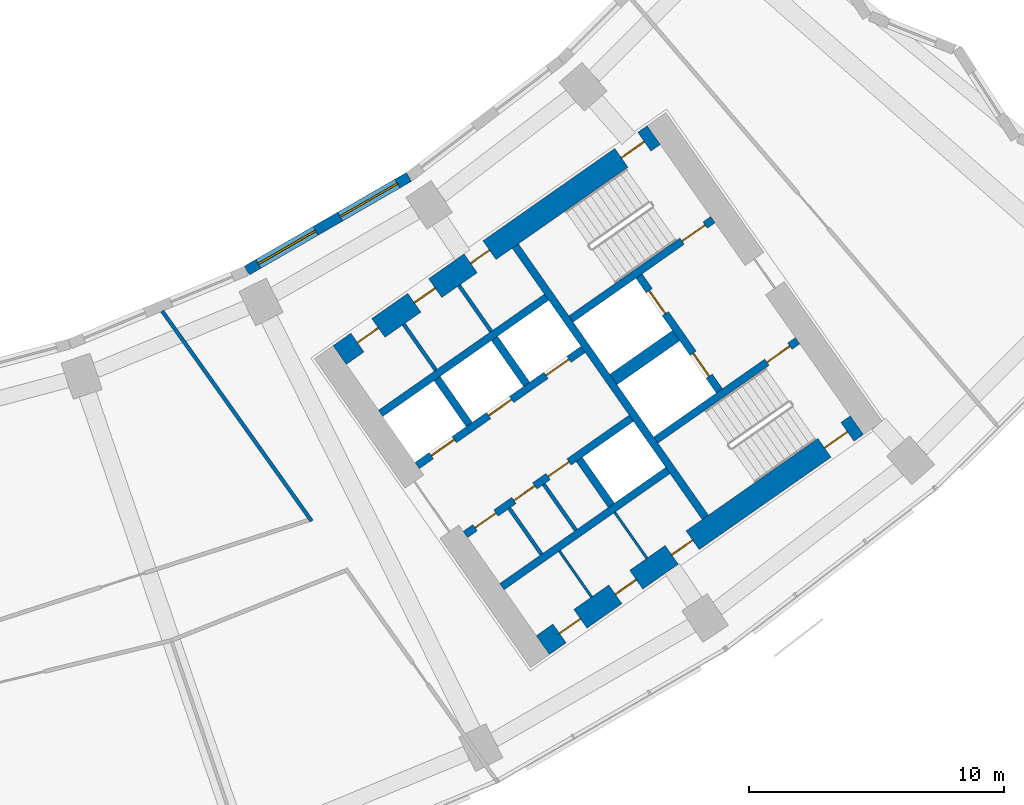
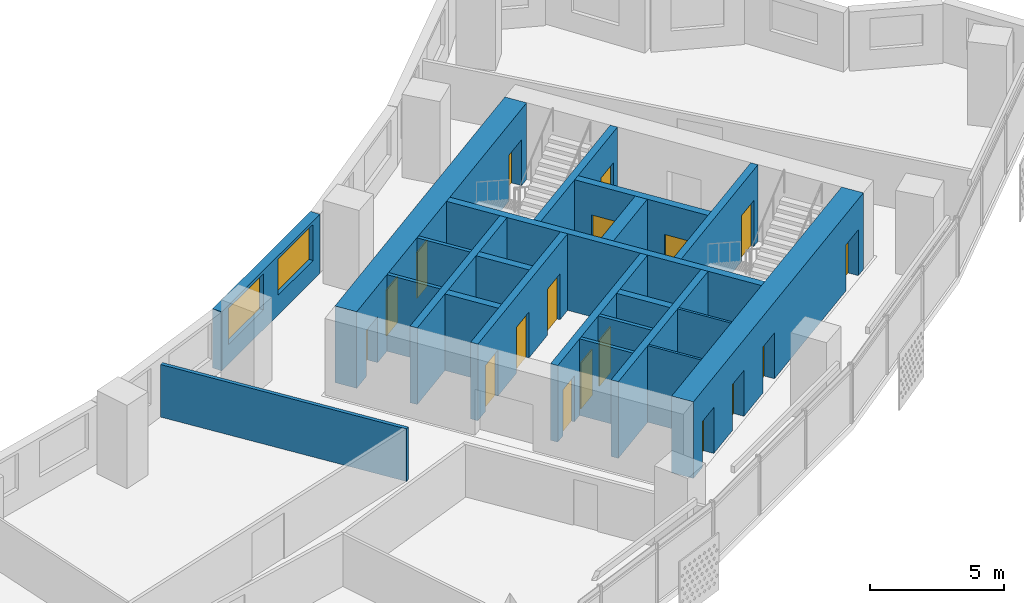
# One storey, part 7 of 29: 22 walls, 18 doors, 2 windows, 20 openings.
"""IFC4 building model written with IfcOpenShell, lengths in metres."""

from ifc_helpers import new_model, si_unit, direction, frame, frame_2d, origin, place, context, subcontext, project, spatial, rectangle, extrude, material, layer, layer_set, type_object, element, fill, save


model = new_model("IFC4")

# Units and contexts
model_context = context("Model", 3, precision=1e-05, world=origin(), true_north=direction((0.0, 1.0)))
body_context = subcontext(model_context, "Body", "Model", "MODEL_VIEW")
ifc_project = project(units=[si_unit("LENGTHUNIT", "METRE"), si_unit("AREAUNIT", "SQUARE_METRE"), si_unit("VOLUMEUNIT", "CUBIC_METRE"), si_unit("PLANEANGLEUNIT", "RADIAN"), si_unit("MASSUNIT", "GRAM", prefix="KILO")], contexts=[model_context])

# Site, building, storey
site_placement = place(None, origin())
site = spatial("IfcSite", under=ifc_project, at=site_placement, CompositionType="ELEMENT")
building_placement = place(site_placement, origin())
building = spatial("IfcBuilding", under=site, at=building_placement, Name="Qamariyya Broadcast Tower", CompositionType="ELEMENT")
storey_placement = place(building_placement, frame((0.0, 0.0, 113.89990234375)))
storey = spatial("IfcBuildingStorey", under=building, at=storey_placement, Name="L25", CompositionType="ELEMENT", Elevation=113.89990234375)

# Wall, openings, doors
ifc_material_1 = material(Name="Concrete C70/85", Category="concrete")
ifc_layer_1 = layer(ifc_material_1, 0.89990234375)
ifc_layer_set_1 = layer_set([ifc_layer_1], Name="Core wall 900 mm Concrete C70/85")
wall_type_1 = type_object("IfcWallType", Name="Core wall 900 mm Concrete C70/85", PredefinedType="SHEAR", material=ifc_layer_set_1)
wall_1_placement = place(storey_placement, frame((28.8544921875, -54.32421875, 0.0), z_axis=(0.0, 0.0, 1.0), x_axis=(0.819145767589, 0.573585400304, 0.0)))
wall_1 = element("IfcWall", 1, at=wall_1_placement, inside=storey, type_object=wall_type_1, Name="k-E-L25-WI", PredefinedType="SHEAR", context=body_context, shape_type="SweptSolid", body=[
    extrude(rectangle(XDim=15.04541015625, YDim=0.89990234375, at=frame_2d((7.522705078125, 0.0))), origin(), (0.0, 0.0, 1.0), 3.5),
])
opening_1_placement = place(wall_1_placement, frame((0.85009765625, 0.0, 0.0)))
opening_1 = element("IfcOpeningElement", 2, at=opening_1_placement, cuts=wall_1, Name="Opening KD6-E3", PredefinedType="OPENING", context=body_context, shape_type="SweptSolid", body=[
    extrude(rectangle(XDim=1.0, YDim=2.10009765625, at=frame_2d((0.5, 1.050048828125))), frame((0.0, 0.4599609375, 0.0), z_axis=(0.0, -1.0, 0.0), x_axis=(1.0, 0.0, 0.0)), (0.0, 0.0, 1.0), 0.919921875),
])
opening_2_placement = place(wall_1_placement, frame((3.574951171875, 0.0, 0.0)))
opening_2 = element("IfcOpeningElement", 3, at=opening_2_placement, cuts=wall_1, Name="Opening KD7-E1", PredefinedType="OPENING", context=body_context, shape_type="SweptSolid", body=[
    extrude(rectangle(XDim=1.0, YDim=2.10009765625, at=frame_2d((0.5, 1.050048828125))), frame((0.0, 0.4599609375, 0.0), z_axis=(0.0, -1.0, 0.0), x_axis=(1.0, 0.0, 0.0)), (0.0, 0.0, 1.0), 0.919921875),
])
opening_3_placement = place(wall_1_placement, frame((6.27490234375, 0.0, 0.0)))
opening_3 = element("IfcOpeningElement", 4, at=opening_3_placement, cuts=wall_1, Name="Opening KD5-E1", PredefinedType="OPENING", context=body_context, shape_type="SweptSolid", body=[
    extrude(rectangle(XDim=0.89990234375, YDim=2.10009765625, at=frame_2d((0.449951171875, 1.050048828125))), frame((0.0, 0.4599609375, 0.0), z_axis=(0.0, -1.0, 0.0), x_axis=(1.0, 0.0, 0.0)), (0.0, 0.0, 1.0), 0.919921875),
])
opening_4_placement = place(wall_1_placement, frame((13.495361328125, 0.0, 0.0)))
opening_4 = element("IfcOpeningElement", 5, at=opening_4_placement, cuts=wall_1, Name="Opening KD1-E1", PredefinedType="OPENING", context=body_context, shape_type="SweptSolid", body=[
    extrude(rectangle(XDim=1.10009765625, YDim=2.10009765625, at=frame_2d((0.550048828125, 1.050048828125))), frame((0.0, 0.4599609375, 0.0), z_axis=(0.0, -1.0, 0.0), x_axis=(1.0, 0.0, 0.0)), (0.0, 0.0, 1.0), 0.919921875),
])
ifc_material_2 = material(Name="Steel fire-resisting door leaf", Category="steel")
door_type_1 = type_object("IfcDoorType", Name="Accessible toilet door KD7", OperationType="SINGLE_SWING_LEFT", PredefinedType="DOOR", material=ifc_material_2)
door_1_placement = place(opening_2_placement, origin())
door_1 = element("IfcDoor", 6, at=door_1_placement, inside=storey, type_object=door_type_1, Name="k-E-L25-WI-D9", OperationType="SINGLE_SWING_LEFT", OverallHeight=2.10009765625, OverallWidth=1.0, PredefinedType="DOOR", context=body_context, shape_type="SweptSolid", body=[
    extrude(rectangle(XDim=1.0, YDim=2.10009765625, at=frame_2d((0.5, 1.050048828125))), frame((0.0, 0.02490234375, 0.0), z_axis=(0.0, -1.0, 0.0), x_axis=(1.0, 0.0, 0.0)), (0.0, 0.0, 1.0), 0.050048828125),
])
fill(opening_2, door_1)
door_type_2 = type_object("IfcDoorType", Name="Core room door KD6", OperationType="SINGLE_SWING_LEFT", PredefinedType="DOOR", material=ifc_material_2)
door_2_placement = place(opening_1_placement, origin())
door_2 = element("IfcDoor", 7, at=door_2_placement, inside=storey, type_object=door_type_2, Name="k-E-L25-WI-D8", OperationType="SINGLE_SWING_RIGHT", OverallHeight=2.10009765625, OverallWidth=1.0, PredefinedType="DOOR", context=body_context, shape_type="SweptSolid", body=[
    extrude(rectangle(XDim=1.0, YDim=2.10009765625, at=frame_2d((0.5, 1.050048828125))), frame((0.0, 0.02490234375, 0.0), z_axis=(0.0, -1.0, 0.0), x_axis=(1.0, 0.0, 0.0)), (0.0, 0.0, 1.0), 0.050048828125),
])
fill(opening_1, door_2)
door_type_3 = type_object("IfcDoorType", Name="Stair door KD1", OperationType="SINGLE_SWING_LEFT", PredefinedType="DOOR", material=ifc_material_2)
door_3_placement = place(opening_4_placement, origin())
door_3 = element("IfcDoor", 8, at=door_3_placement, inside=storey, type_object=door_type_3, Name="k-E-L25-WI-D17", OperationType="SINGLE_SWING_RIGHT", OverallHeight=2.10009765625, OverallWidth=1.10009765625, PredefinedType="DOOR", context=body_context, shape_type="SweptSolid", body=[
    extrude(rectangle(XDim=1.10009765625, YDim=2.10009765625, at=frame_2d((0.550048828125, 1.050048828125))), frame((0.0, 0.02490234375, 0.0), z_axis=(0.0, -1.0, 0.0), x_axis=(1.0, 0.0, 0.0)), (0.0, 0.0, 1.0), 0.050048828125),
])
fill(opening_4, door_3)
door_type_4 = type_object("IfcDoorType", Name="Toilet door KD5", OperationType="SINGLE_SWING_LEFT", PredefinedType="DOOR", material=ifc_material_2)
door_4_placement = place(opening_3_placement, origin())
door_4 = element("IfcDoor", 9, at=door_4_placement, inside=storey, type_object=door_type_4, Name="k-E-L25-WI-D10", OperationType="SINGLE_SWING_RIGHT", OverallHeight=2.10009765625, OverallWidth=0.89990234375, PredefinedType="DOOR", context=body_context, shape_type="SweptSolid", body=[
    extrude(rectangle(XDim=0.89990234375, YDim=2.10009765625, at=frame_2d((0.449951171875, 1.050048828125))), frame((0.0, 0.02490234375, 0.0), z_axis=(0.0, -1.0, 0.0), x_axis=(1.0, 0.0, 0.0)), (0.0, 0.0, 1.0), 0.050048828125),
])
fill(opening_3, door_4)

wall_2_placement = place(storey_placement, frame((36.827392578125, -65.710205078125, 0.0), z_axis=(0.0, 0.0, 1.0), x_axis=(0.819153391756, 0.573574511963, 0.0)))
wall_2 = element("IfcWall", 10, at=wall_2_placement, inside=storey, type_object=wall_type_1, Name="k-E-L25-WO", PredefinedType="SHEAR", context=body_context, shape_type="SweptSolid", body=[
    extrude(rectangle(XDim=15.04541015625, YDim=0.89990234375, at=frame_2d((7.522705078125, 0.0))), origin(), (0.0, 0.0, 1.0), 3.5),
])
opening_5_placement = place(wall_2_placement, frame((0.800048828125, 0.0, 0.0)))
opening_5 = element("IfcOpeningElement", 11, at=opening_5_placement, cuts=wall_2, Name="Opening KD4-E2", PredefinedType="OPENING", context=body_context, shape_type="SweptSolid", body=[
    extrude(rectangle(XDim=1.0, YDim=2.10009765625, at=frame_2d((0.5, 1.050048828125))), frame((0.0, 0.4599609375, 0.0), z_axis=(0.0, -1.0, 0.0), x_axis=(1.0, 0.0, 0.0)), (0.0, 0.0, 1.0), 0.919921875),
])
opening_6_placement = place(wall_2_placement, frame((3.47509765625, 0.0, 0.0)))
opening_6 = element("IfcOpeningElement", 12, at=opening_6_placement, cuts=wall_2, Name="Opening KD4-E3", PredefinedType="OPENING", context=body_context, shape_type="SweptSolid", body=[
    extrude(rectangle(XDim=1.0, YDim=2.10009765625, at=frame_2d((0.5, 1.050048828125))), frame((0.0, 0.4599609375, 0.0), z_axis=(0.0, -1.0, 0.0), x_axis=(1.0, 0.0, 0.0)), (0.0, 0.0, 1.0), 0.919921875),
])
opening_7_placement = place(wall_2_placement, frame((6.175048828125, 0.0, 0.0)))
opening_7 = element("IfcOpeningElement", 13, at=opening_7_placement, cuts=wall_2, Name="Opening KD4-E4", PredefinedType="OPENING", context=body_context, shape_type="SweptSolid", body=[
    extrude(rectangle(XDim=1.0, YDim=2.10009765625, at=frame_2d((0.5, 1.050048828125))), frame((0.0, 0.4599609375, 0.0), z_axis=(0.0, -1.0, 0.0), x_axis=(1.0, 0.0, 0.0)), (0.0, 0.0, 1.0), 0.919921875),
])
opening_8_placement = place(wall_2_placement, frame((13.495361328125, 0.0, 0.0)))
opening_8 = element("IfcOpeningElement", 14, at=opening_8_placement, cuts=wall_2, Name="Opening KD1-E3", PredefinedType="OPENING", context=body_context, shape_type="SweptSolid", body=[
    extrude(rectangle(XDim=1.10009765625, YDim=2.10009765625, at=frame_2d((0.550048828125, 1.050048828125))), frame((0.0, 0.4599609375, 0.0), z_axis=(0.0, -1.0, 0.0), x_axis=(1.0, 0.0, 0.0)), (0.0, 0.0, 1.0), 0.919921875),
])
door_type_5 = type_object("IfcDoorType", Name="Riser and plant door KD4", OperationType="SINGLE_SWING_LEFT", PredefinedType="DOOR", material=ifc_material_2)
door_5_placement = place(opening_5_placement, origin())
door_5 = element("IfcDoor", 15, at=door_5_placement, inside=storey, type_object=door_type_5, Name="k-E-L25-WO-D11", OperationType="SINGLE_SWING_LEFT", OverallHeight=2.10009765625, OverallWidth=1.0, PredefinedType="DOOR", context=body_context, shape_type="SweptSolid", body=[
    extrude(rectangle(XDim=1.0, YDim=2.10009765625, at=frame_2d((0.5, 1.050048828125))), frame((0.0, 0.02490234375, 0.0), z_axis=(0.0, -1.0, 0.0), x_axis=(1.0, 0.0, 0.0)), (0.0, 0.0, 1.0), 0.050048828125),
])
fill(opening_5, door_5)
door_6_placement = place(opening_6_placement, origin())
door_6 = element("IfcDoor", 16, at=door_6_placement, inside=storey, type_object=door_type_5, Name="k-E-L25-WO-D12", OperationType="SINGLE_SWING_RIGHT", OverallHeight=2.10009765625, OverallWidth=1.0, PredefinedType="DOOR", context=body_context, shape_type="SweptSolid", body=[
    extrude(rectangle(XDim=1.0, YDim=2.10009765625, at=frame_2d((0.5, 1.050048828125))), frame((0.0, 0.02490234375, 0.0), z_axis=(0.0, -1.0, 0.0), x_axis=(1.0, 0.0, 0.0)), (0.0, 0.0, 1.0), 0.050048828125),
])
fill(opening_6, door_6)
door_7_placement = place(opening_7_placement, origin())
door_7 = element("IfcDoor", 17, at=door_7_placement, inside=storey, type_object=door_type_5, Name="k-E-L25-WO-D13", OperationType="SINGLE_SWING_LEFT", OverallHeight=2.10009765625, OverallWidth=1.0, PredefinedType="DOOR", context=body_context, shape_type="SweptSolid", body=[
    extrude(rectangle(XDim=1.0, YDim=2.10009765625, at=frame_2d((0.5, 1.050048828125))), frame((0.0, 0.02490234375, 0.0), z_axis=(0.0, -1.0, 0.0), x_axis=(1.0, 0.0, 0.0)), (0.0, 0.0, 1.0), 0.050048828125),
])
fill(opening_7, door_7)
door_8_placement = place(opening_8_placement, origin())
door_8 = element("IfcDoor", 18, at=door_8_placement, inside=storey, type_object=door_type_3, Name="k-E-L25-WO-D19", OperationType="SINGLE_SWING_LEFT", OverallHeight=2.10009765625, OverallWidth=1.10009765625, PredefinedType="DOOR", context=body_context, shape_type="SweptSolid", body=[
    extrude(rectangle(XDim=1.10009765625, YDim=2.10009765625, at=frame_2d((0.550048828125, 1.050048828125))), frame((0.0, 0.02490234375, 0.0), z_axis=(0.0, -1.0, 0.0), x_axis=(1.0, 0.0, 0.0)), (0.0, 0.0, 1.0), 0.050048828125),
])
fill(opening_8, door_8)

# Walls
ifc_material_3 = material(Name="Gypsum board partition")
ifc_layer_2 = layer(ifc_material_3, 0.14990234375)
ifc_layer_set_2 = layer_set([ifc_layer_2], Name="Corridor partition 150 EI 60")
wall_type_2 = type_object("IfcWallType", Name="Corridor partition 150 EI 60", PredefinedType="PARTITIONING", material=ifc_layer_set_2)
wall_3_placement = place(storey_placement, frame((21.8837890625, -52.59765625, 0.0), z_axis=(0.0, 0.0, 1.0), x_axis=(0.580016763963, -0.814604538118, 0.0)))
element("IfcWall", 19, at=wall_3_placement, inside=storey, type_object=wall_type_2, Name="Partition L25-032", PredefinedType="PARTITIONING", context=body_context, shape_type="SweptSolid", body=[
    extrude(rectangle(XDim=10.12109375, YDim=0.14990234375, at=frame_2d((5.060546875, 0.0))), origin(), (0.0, 0.0, 1.0), 2.400146484375),
])
ifc_material_4 = material(Name="Concrete C60/75", Category="concrete")
ifc_layer_3 = layer(ifc_material_4, 0.5)
ifc_layer_set_3 = layer_set([ifc_layer_3], Name="Fire-fighting lobby divider wall 500 mm Concrete C60/75")
wall_type_3 = type_object("IfcWallType", Name="Fire-fighting lobby divider wall 500 mm Concrete C60/75", PredefinedType="SOLIDWALL", material=ifc_layer_set_3)
wall_4_placement = place(storey_placement, frame((39.59912109375, -55.28515625, 0.0), z_axis=(0.0, 0.0, 1.0), x_axis=(0.819136323161, 0.573598887793, 0.0)))
element("IfcWall", 20, at=wall_4_placement, inside=storey, type_object=wall_type_3, Name="k-E-L25-FD", PredefinedType="SOLIDWALL", context=body_context, shape_type="SweptSolid", body=[
    extrude(rectangle(XDim=2.999755859375, YDim=0.5, at=frame_2d((1.5, 0.0))), origin(), (0.0, 0.0, 1.0), 3.5),
])
ifc_material_5 = material(Name="Gypsum board partition on steel studs", Category="steel")
ifc_layer_4 = layer(ifc_material_5, 0.14990234375)
ifc_layer_set_4 = layer_set([ifc_layer_4], Name="Gypsum board partition 150 mm")
wall_type_4 = type_object("IfcWallType", Name="Gypsum board partition 150 mm", PredefinedType="PARTITIONING", material=ifc_layer_set_4)
for number, where, z_axis, x_axis, name in (
    (21, (35.51171875, -60.344482421875, 0.0), (0.0, 0.0, 1.0), (0.573633636671, -0.819111989218, 0.0), "k-E-L25-SC200"),
    (22, (36.86328125, -59.398193359375, 0.0), (0.0, 0.0, 1.0), (0.573633636671, -0.819111989218, 0.0), "k-E-L25-SC365"),
    (23, (32.627197265625, -54.91748046875, 0.0), (0.0, 0.0, 1.0), (-0.573507030513, 0.819200638399, 0.0), "k-E-L25-NP275"),
    (24, (34.798095703125, -53.3974609375, 0.0), (0.0, 0.0, 1.0), (-0.573633636671, 0.819111989218, 0.0), "k-E-L25-NP540"),
):
    element("IfcWall", number, at=place(storey_placement, frame(where, z_axis=z_axis, x_axis=x_axis)), inside=storey, type_object=wall_type_4, Name=name, PredefinedType="PARTITIONING", context=body_context, shape_type="SweptSolid", body=[
        extrude(rectangle(XDim=2.199951171875, YDim=0.14990234375, at=frame_2d((1.10009765625, 0.0))), origin(), (0.0, 0.0, 1.0), 3.5),
    ])
ifc_layer_5 = layer(ifc_material_4, 0.300048828125)
ifc_layer_set_5 = layer_set([ifc_layer_5], Name="Lift shaft wall 300 mm Concrete C60/75")
wall_type_5 = type_object("IfcWallType", Name="Lift shaft wall 300 mm Concrete C60/75", PredefinedType="SOLIDWALL", material=ifc_layer_set_5)
wall_5_placement = place(storey_placement, frame((43.204345703125, -60.69580078125, 0.0), z_axis=(0.0, 0.0, 1.0), x_axis=(-0.573571992966, 0.819155155563, 0.0)))
element("IfcWall", 25, at=wall_5_placement, inside=storey, type_object=wall_type_5, Name="k-E-L25-WL", PredefinedType="SOLIDWALL", context=body_context, shape_type="SweptSolid", body=[
    extrude(rectangle(XDim=13.000244140625, YDim=0.300048828125, at=frame_2d((6.5, 0.0))), origin(), (0.0, 0.0, 1.0), 3.5),
])

# Wall, openings, doors
wall_6_placement = place(storey_placement, frame((31.89453125, -58.66552734375, 0.0), z_axis=(0.0, 0.0, 1.0), x_axis=(0.819166993208, 0.573555086491, 0.0)))
wall_6 = element("IfcWall", 26, at=wall_6_placement, inside=storey, type_object=wall_type_5, Name="k-E-L25-NF0", PredefinedType="SOLIDWALL", context=body_context, shape_type="SweptSolid", body=[
    extrude(rectangle(XDim=7.9501953125, YDim=0.300048828125, at=frame_2d((3.97509765625, 0.0))), origin(), (0.0, 0.0, 1.0), 3.5),
])
opening_9_placement = place(wall_6_placement, frame((0.675048828125, 0.0, 0.0)))
opening_9 = element("IfcOpeningElement", 27, at=opening_9_placement, cuts=wall_6, Name="Opening LD", PredefinedType="OPENING", context=body_context, shape_type="SweptSolid", body=[
    extrude(rectangle(XDim=1.10009765625, YDim=2.10009765625, at=frame_2d((0.550048828125, 1.050048828125))), frame((0.0, 0.159912109375, 0.0), z_axis=(0.0, -1.0, 0.0), x_axis=(1.0, 0.0, 0.0)), (0.0, 0.0, 1.0), 0.320068359375),
])
opening_10_placement = place(wall_6_placement, frame((3.425048828125, 0.0, 0.0)))
opening_10 = element("IfcOpeningElement", 28, at=opening_10_placement, cuts=wall_6, Name="Opening LD", PredefinedType="OPENING", context=body_context, shape_type="SweptSolid", body=[
    extrude(rectangle(XDim=1.10009765625, YDim=2.10009765625, at=frame_2d((0.550048828125, 1.050048828125))), frame((0.0, 0.159912109375, 0.0), z_axis=(0.0, -1.0, 0.0), x_axis=(1.0, 0.0, 0.0)), (0.0, 0.0, 1.0), 0.320068359375),
])
opening_11_placement = place(wall_6_placement, frame((6.175048828125, 0.0, 0.0)))
opening_11 = element("IfcOpeningElement", 29, at=opening_11_placement, cuts=wall_6, Name="Opening LD", PredefinedType="OPENING", context=body_context, shape_type="SweptSolid", body=[
    extrude(rectangle(XDim=1.10009765625, YDim=2.10009765625, at=frame_2d((0.550048828125, 1.050048828125))), frame((0.0, 0.159912109375, 0.0), z_axis=(0.0, -1.0, 0.0), x_axis=(1.0, 0.0, 0.0)), (0.0, 0.0, 1.0), 0.320068359375),
])
door_type_6 = type_object("IfcDoorType", Name="Lift landing door LD", OperationType="DOUBLE_DOOR_SLIDING", PredefinedType="DOOR", material=ifc_material_2)
door_9_placement = place(opening_9_placement, origin())
door_9 = element("IfcDoor", 30, at=door_9_placement, inside=storey, type_object=door_type_6, Name="k-E-L25-NF0-D2", OperationType="DOUBLE_DOOR_SLIDING", OverallHeight=2.10009765625, OverallWidth=1.10009765625, PredefinedType="DOOR", context=body_context, shape_type="SweptSolid", body=[
    extrude(rectangle(XDim=1.10009765625, YDim=2.10009765625, at=frame_2d((0.550048828125, 1.050048828125))), frame((0.0, 0.02490234375, 0.0), z_axis=(0.0, -1.0, 0.0), x_axis=(1.0, 0.0, 0.0)), (0.0, 0.0, 1.0), 0.050048828125),
])
fill(opening_9, door_9)
door_10_placement = place(opening_10_placement, origin())
door_10 = element("IfcDoor", 31, at=door_10_placement, inside=storey, type_object=door_type_6, Name="k-E-L25-NF0-D3", OperationType="DOUBLE_DOOR_SLIDING", OverallHeight=2.10009765625, OverallWidth=1.10009765625, PredefinedType="DOOR", context=body_context, shape_type="SweptSolid", body=[
    extrude(rectangle(XDim=1.10009765625, YDim=2.10009765625, at=frame_2d((0.550048828125, 1.050048828125))), frame((0.0, 0.02490234375, 0.0), z_axis=(0.0, -1.0, 0.0), x_axis=(1.0, 0.0, 0.0)), (0.0, 0.0, 1.0), 0.050048828125),
])
fill(opening_10, door_10)
door_11_placement = place(opening_11_placement, origin())
door_11 = element("IfcDoor", 32, at=door_11_placement, inside=storey, type_object=door_type_6, Name="k-E-L25-NF0-D4", OperationType="DOUBLE_DOOR_SLIDING", OverallHeight=2.10009765625, OverallWidth=1.10009765625, PredefinedType="DOOR", context=body_context, shape_type="SweptSolid", body=[
    extrude(rectangle(XDim=1.10009765625, YDim=2.10009765625, at=frame_2d((0.550048828125, 1.050048828125))), frame((0.0, 0.02490234375, 0.0), z_axis=(0.0, -1.0, 0.0), x_axis=(1.0, 0.0, 0.0)), (0.0, 0.0, 1.0), 0.050048828125),
])
fill(opening_11, door_11)

# Walls
wall_7_placement = place(storey_placement, frame((30.460693359375, -56.61767578125, 0.0), z_axis=(0.0, 0.0, 1.0), x_axis=(0.819142461705, 0.573590121456, 0.0)))
element("IfcWall", 33, at=wall_7_placement, inside=storey, type_object=wall_type_5, Name="k-E-L25-NB0", PredefinedType="SOLIDWALL", context=body_context, shape_type="SweptSolid", body=[
    extrude(rectangle(XDim=7.949951171875, YDim=0.300048828125, at=frame_2d((3.97509765625, 0.0))), origin(), (0.0, 0.0, 1.0), 3.5),
])
wall_8_placement = place(storey_placement, frame((33.9384765625, -57.051513671875, 0.0), z_axis=(0.0, 0.0, 1.0), x_axis=(-0.573581496053, 0.819148501424, 0.0)))
element("IfcWall", 34, at=wall_8_placement, inside=storey, type_object=wall_type_5, Name="k-E-L25-ND0", PredefinedType="SOLIDWALL", context=body_context, shape_type="SweptSolid", body=[
    extrude(rectangle(XDim=2.2001953125, YDim=0.300048828125, at=frame_2d((1.10009765625, 0.0))), origin(), (0.0, 0.0, 1.0), 3.5),
])
wall_9_placement = place(storey_placement, frame((36.19091796875, -55.47412109375, 0.0), z_axis=(0.0, 0.0, 1.0), x_axis=(-0.573507030513, 0.819200638399, 0.0)))
element("IfcWall", 35, at=wall_9_placement, inside=storey, type_object=wall_type_5, Name="k-E-L25-ND1", PredefinedType="SOLIDWALL", context=body_context, shape_type="SweptSolid", body=[
    extrude(rectangle(XDim=2.199951171875, YDim=0.300048828125, at=frame_2d((1.10009765625, 0.0))), origin(), (0.0, 0.0, 1.0), 3.5),
])

# Wall, openings, doors
wall_10_placement = place(storey_placement, frame((33.787353515625, -61.368896484375, 0.0), z_axis=(0.0, 0.0, 1.0), x_axis=(0.819152564888, 0.573575692858, 0.0)))
wall_10 = element("IfcWall", 36, at=wall_10_placement, inside=storey, type_object=wall_type_5, Name="k-E-L25-SF0", PredefinedType="SOLIDWALL", context=body_context, shape_type="SweptSolid", body=[
    extrude(rectangle(XDim=7.9501953125, YDim=0.300048828125, at=frame_2d((3.97509765625, 0.0))), origin(), (0.0, 0.0, 1.0), 3.5),
])
opening_12_placement = place(wall_10_placement, frame((0.46240234375, 0.0, 0.0)))
opening_12 = element("IfcOpeningElement", 37, at=opening_12_placement, cuts=wall_10, Name="Opening KD6-E1", PredefinedType="OPENING", context=body_context, shape_type="SweptSolid", body=[
    extrude(rectangle(XDim=1.0, YDim=2.10009765625, at=frame_2d((0.5, 1.050048828125))), frame((0.0, 0.159912109375, 0.0), z_axis=(0.0, -1.0, 0.0), x_axis=(1.0, 0.0, 0.0)), (0.0, 0.0, 1.0), 0.320068359375),
])
opening_13_placement = place(wall_10_placement, frame((2.324951171875, 0.0, 0.0)))
opening_13 = element("IfcOpeningElement", 38, at=opening_13_placement, cuts=wall_10, Name="Opening KD4-E1", PredefinedType="OPENING", context=body_context, shape_type="SweptSolid", body=[
    extrude(rectangle(XDim=1.0, YDim=2.10009765625, at=frame_2d((0.5, 1.050048828125))), frame((0.0, 0.159912109375, 0.0), z_axis=(0.0, -1.0, 0.0), x_axis=(1.0, 0.0, 0.0)), (0.0, 0.0, 1.0), 0.320068359375),
])
opening_14_placement = place(wall_10_placement, frame((3.96240234375, 0.0, 0.0)))
opening_14 = element("IfcOpeningElement", 39, at=opening_14_placement, cuts=wall_10, Name="Opening KD6-E2", PredefinedType="OPENING", context=body_context, shape_type="SweptSolid", body=[
    extrude(rectangle(XDim=1.0, YDim=2.10009765625, at=frame_2d((0.5, 1.050048828125))), frame((0.0, 0.159912109375, 0.0), z_axis=(0.0, -1.0, 0.0), x_axis=(1.0, 0.0, 0.0)), (0.0, 0.0, 1.0), 0.320068359375),
])
door_12_placement = place(opening_12_placement, origin())
door_12 = element("IfcDoor", 40, at=door_12_placement, inside=storey, type_object=door_type_2, Name="k-E-L25-SF0-D5", OperationType="SINGLE_SWING_LEFT", OverallHeight=2.10009765625, OverallWidth=1.0, PredefinedType="DOOR", context=body_context, shape_type="SweptSolid", body=[
    extrude(rectangle(XDim=1.0, YDim=2.10009765625, at=frame_2d((0.5, 1.050048828125))), frame((0.0, 0.02490234375, 0.0), z_axis=(0.0, -1.0, 0.0), x_axis=(1.0, 0.0, 0.0)), (0.0, 0.0, 1.0), 0.050048828125),
])
fill(opening_12, door_12)
door_13_placement = place(opening_14_placement, origin())
door_13 = element("IfcDoor", 41, at=door_13_placement, inside=storey, type_object=door_type_2, Name="k-E-L25-SF0-D7", OperationType="SINGLE_SWING_LEFT", OverallHeight=2.10009765625, OverallWidth=1.0, PredefinedType="DOOR", context=body_context, shape_type="SweptSolid", body=[
    extrude(rectangle(XDim=1.0, YDim=2.10009765625, at=frame_2d((0.5, 1.050048828125))), frame((0.0, 0.02490234375, 0.0), z_axis=(0.0, -1.0, 0.0), x_axis=(1.0, 0.0, 0.0)), (0.0, 0.0, 1.0), 0.050048828125),
])
fill(opening_14, door_13)
door_14_placement = place(opening_13_placement, origin())
door_14 = element("IfcDoor", 42, at=door_14_placement, inside=storey, type_object=door_type_5, Name="k-E-L25-SF0-D6", OperationType="SINGLE_SWING_RIGHT", OverallHeight=2.10009765625, OverallWidth=1.0, PredefinedType="DOOR", context=body_context, shape_type="SweptSolid", body=[
    extrude(rectangle(XDim=1.0, YDim=2.10009765625, at=frame_2d((0.5, 1.050048828125))), frame((0.0, 0.02490234375, 0.0), z_axis=(0.0, -1.0, 0.0), x_axis=(1.0, 0.0, 0.0)), (0.0, 0.0, 1.0), 0.050048828125),
])
fill(opening_13, door_14)

# Walls
wall_11_placement = place(storey_placement, frame((35.22119140625, -63.41650390625, 0.0), z_axis=(0.0, 0.0, 1.0), x_axis=(0.819166993208, 0.573555086491, 0.0)))
element("IfcWall", 43, at=wall_11_placement, inside=storey, type_object=wall_type_5, Name="k-E-L25-SB0", PredefinedType="SOLIDWALL", context=body_context, shape_type="SweptSolid", body=[
    extrude(rectangle(XDim=7.9501953125, YDim=0.300048828125, at=frame_2d((3.97509765625, 0.0))), origin(), (0.0, 0.0, 1.0), 3.5),
])
wall_12_placement = place(storey_placement, frame((38.255859375, -58.423095703125, 0.0), z_axis=(0.0, 0.0, 1.0), x_axis=(0.573633636671, -0.819111989218, 0.0)))
element("IfcWall", 44, at=wall_12_placement, inside=storey, type_object=wall_type_5, Name="k-E-L25-SD1", PredefinedType="SOLIDWALL", context=body_context, shape_type="SweptSolid", body=[
    extrude(rectangle(XDim=2.199951171875, YDim=0.300048828125, at=frame_2d((1.10009765625, 0.0))), origin(), (0.0, 0.0, 1.0), 3.5),
])

# Wall, opening, door
wall_13_placement = place(storey_placement, frame((37.935546875, -52.90966796875, 0.0), z_axis=(0.0, 0.0, 1.0), x_axis=(0.819147518138, 0.57358290031, 0.0)))
wall_13 = element("IfcWall", 45, at=wall_13_placement, inside=storey, type_object=wall_type_5, Name="k-E-L25-NW", PredefinedType="SOLIDWALL", context=body_context, shape_type="SweptSolid", body=[
    extrude(rectangle(XDim=6.79541015625, YDim=0.300048828125, at=frame_2d((3.397705078125, 0.0))), origin(), (0.0, 0.0, 1.0), 3.5),
])
opening_15_placement = place(wall_13_placement, frame((5.3203125, 0.0, 0.0)))
opening_15 = element("IfcOpeningElement", 46, at=opening_15_placement, cuts=wall_13, Name="Opening KD1-E2", PredefinedType="OPENING", context=body_context, shape_type="SweptSolid", body=[
    extrude(rectangle(XDim=1.10009765625, YDim=2.10009765625, at=frame_2d((0.550048828125, 1.050048828125))), frame((0.0, 0.159912109375, 0.0), z_axis=(0.0, -1.0, 0.0), x_axis=(1.0, 0.0, 0.0)), (0.0, 0.0, 1.0), 0.320068359375),
])
door_15_placement = place(opening_15_placement, origin())
door_15 = element("IfcDoor", 47, at=door_15_placement, inside=storey, type_object=door_type_3, Name="k-E-L25-NW-D18", OperationType="SINGLE_SWING_RIGHT", OverallHeight=2.10009765625, OverallWidth=1.10009765625, PredefinedType="DOOR", context=body_context, shape_type="SweptSolid", body=[
    extrude(rectangle(XDim=1.10009765625, YDim=2.10009765625, at=frame_2d((0.550048828125, 1.050048828125))), frame((0.0, 0.02490234375, 0.0), z_axis=(0.0, -1.0, 0.0), x_axis=(1.0, 0.0, 0.0)), (0.0, 0.0, 1.0), 0.050048828125),
])
fill(opening_15, door_15)

wall_14_placement = place(storey_placement, frame((41.262451171875, -57.66064453125, 0.0), z_axis=(0.0, 0.0, 1.0), x_axis=(0.819164398642, 0.573558792102, 0.0)))
wall_14 = element("IfcWall", 48, at=wall_14_placement, inside=storey, type_object=wall_type_5, Name="k-E-L25-SW", PredefinedType="SOLIDWALL", context=body_context, shape_type="SweptSolid", body=[
    extrude(rectangle(XDim=6.795166015625, YDim=0.300048828125, at=frame_2d((3.3974609375, 0.0))), origin(), (0.0, 0.0, 1.0), 3.5),
])
opening_16_placement = place(wall_14_placement, frame((5.3203125, 0.0, 0.0)))
opening_16 = element("IfcOpeningElement", 49, at=opening_16_placement, cuts=wall_14, Name="Opening KD1-E4", PredefinedType="OPENING", context=body_context, shape_type="SweptSolid", body=[
    extrude(rectangle(XDim=1.10009765625, YDim=2.10009765625, at=frame_2d((0.550048828125, 1.050048828125))), frame((0.0, 0.159912109375, 0.0), z_axis=(0.0, -1.0, 0.0), x_axis=(1.0, 0.0, 0.0)), (0.0, 0.0, 1.0), 0.320068359375),
])
door_16_placement = place(opening_16_placement, origin())
door_16 = element("IfcDoor", 50, at=door_16_placement, inside=storey, type_object=door_type_3, Name="k-E-L25-SW-D20", OperationType="SINGLE_SWING_RIGHT", OverallHeight=2.10009765625, OverallWidth=1.10009765625, PredefinedType="DOOR", context=body_context, shape_type="SweptSolid", body=[
    extrude(rectangle(XDim=1.10009765625, YDim=2.10009765625, at=frame_2d((0.550048828125, 1.050048828125))), frame((0.0, 0.02490234375, 0.0), z_axis=(0.0, -1.0, 0.0), x_axis=(1.0, 0.0, 0.0)), (0.0, 0.0, 1.0), 0.050048828125),
])
fill(opening_16, door_16)

# Wall, openings, doors
wall_15_placement = place(storey_placement, frame((43.756591796875, -55.731201171875, 0.0), z_axis=(0.0, 0.0, 1.0), x_axis=(-0.573536818435, 0.819179783625, 0.0)))
wall_15 = element("IfcWall", 51, at=wall_15_placement, inside=storey, type_object=wall_type_5, Name="k-E-L25-FF", PredefinedType="SOLIDWALL", context=body_context, shape_type="SweptSolid", body=[
    extrude(rectangle(XDim=5.500244140625, YDim=0.300048828125, at=frame_2d((2.75, 0.0))), origin(), (0.0, 0.0, 1.0), 3.5),
])
opening_17_placement = place(wall_15_placement, frame((0.699951171875, 0.0, 0.0)))
opening_17 = element("IfcOpeningElement", 52, at=opening_17_placement, cuts=wall_15, Name="Opening LD", PredefinedType="OPENING", context=body_context, shape_type="SweptSolid", body=[
    extrude(rectangle(XDim=1.10009765625, YDim=2.10009765625, at=frame_2d((0.550048828125, 1.050048828125))), frame((0.0, 0.159912109375, 0.0), z_axis=(0.0, -1.0, 0.0), x_axis=(1.0, 0.0, 0.0)), (0.0, 0.0, 1.0), 0.320068359375),
])
opening_18_placement = place(wall_15_placement, frame((3.699951171875, 0.0, 0.0)))
opening_18 = element("IfcOpeningElement", 53, at=opening_18_placement, cuts=wall_15, Name="Opening LD", PredefinedType="OPENING", context=body_context, shape_type="SweptSolid", body=[
    extrude(rectangle(XDim=1.10009765625, YDim=2.10009765625, at=frame_2d((0.550048828125, 1.050048828125))), frame((0.0, 0.159912109375, 0.0), z_axis=(0.0, -1.0, 0.0), x_axis=(1.0, 0.0, 0.0)), (0.0, 0.0, 1.0), 0.320068359375),
])
door_17_placement = place(opening_17_placement, origin())
door_17 = element("IfcDoor", 54, at=door_17_placement, inside=storey, type_object=door_type_6, Name="k-E-L25-FF-D14", OperationType="DOUBLE_DOOR_SLIDING", OverallHeight=2.10009765625, OverallWidth=1.10009765625, PredefinedType="DOOR", context=body_context, shape_type="SweptSolid", body=[
    extrude(rectangle(XDim=1.10009765625, YDim=2.10009765625, at=frame_2d((0.550048828125, 1.050048828125))), frame((0.0, 0.02490234375, 0.0), z_axis=(0.0, -1.0, 0.0), x_axis=(1.0, 0.0, 0.0)), (0.0, 0.0, 1.0), 0.050048828125),
])
fill(opening_17, door_17)
door_18_placement = place(opening_18_placement, origin())
door_18 = element("IfcDoor", 55, at=door_18_placement, inside=storey, type_object=door_type_6, Name="k-E-L25-FF-D15", OperationType="DOUBLE_DOOR_SLIDING", OverallHeight=2.10009765625, OverallWidth=1.10009765625, PredefinedType="DOOR", context=body_context, shape_type="SweptSolid", body=[
    extrude(rectangle(XDim=1.10009765625, YDim=2.10009765625, at=frame_2d((0.550048828125, 1.050048828125))), frame((0.0, 0.02490234375, 0.0), z_axis=(0.0, -1.0, 0.0), x_axis=(1.0, 0.0, 0.0)), (0.0, 0.0, 1.0), 0.050048828125),
])
fill(opening_18, door_18)

# Walls
ifc_material_6 = material(Name="Fire-rated gypsum shaft liner on steel studs", Category="steel")
ifc_layer_6 = layer(ifc_material_6, 0.10009765625)
ifc_layer_set_6 = layer_set([ifc_layer_6], Name="Riser wall 100 mm")
wall_type_6 = type_object("IfcWallType", Name="Riser wall 100 mm", PredefinedType="PLUMBINGWALL", material=ifc_layer_set_6)
wall_16_placement = place(storey_placement, frame((37.47802734375, -62.01953125, 0.0), z_axis=(0.0, 0.0, 1.0), x_axis=(0.573581496053, -0.819148501424, 0.0)))
element("IfcWall", 56, at=wall_16_placement, inside=storey, type_object=wall_type_6, Name="k-E-L25-SP265", PredefinedType="PLUMBINGWALL", context=body_context, shape_type="SweptSolid", body=[
    extrude(rectangle(XDim=2.2001953125, YDim=0.10009765625, at=frame_2d((1.10009765625, 0.0))), origin(), (0.0, 0.0, 1.0), 3.5),
])
wall_17_placement = place(storey_placement, frame((39.64892578125, -60.49951171875, 0.0), z_axis=(0.0, 0.0, 1.0), x_axis=(0.573507030513, -0.819200638399, 0.0)))
element("IfcWall", 57, at=wall_17_placement, inside=storey, type_object=wall_type_6, Name="k-E-L25-SP530", PredefinedType="PLUMBINGWALL", context=body_context, shape_type="SweptSolid", body=[
    extrude(rectangle(XDim=2.199951171875, YDim=0.10009765625, at=frame_2d((1.10009765625, 0.0))), origin(), (0.0, 0.0, 1.0), 3.5),
])

# Wall, openings, windows
ifc_material_7 = material(Name="Terracotta", Category="masonry")
ifc_layer_7 = layer(ifc_material_7, 0.39990234375)
ifc_layer_set_7 = layer_set([ifc_layer_7], Name="Terracotta clad wall 400")
wall_type_7 = type_object("IfcWallType", Name="Terracotta clad wall 400", PredefinedType="SOLIDWALL", material=ifc_layer_set_7)
wall_18_placement = place(storey_placement, frame((31.568359375, -47.33642578125, 0.0), z_axis=(0.0, 0.0, 1.0), x_axis=(-0.866030525931, -0.499991128077, 0.0)))
wall_18 = element("IfcWall", 58, at=wall_18_placement, inside=storey, type_object=wall_type_7, Name="e-wl-L25-in130", PredefinedType="SOLIDWALL", context=body_context, shape_type="SweptSolid", body=[
    extrude(rectangle(XDim=7.341552734375, YDim=0.39990234375, at=frame_2d((3.6708984375, 0.0))), origin(), (0.0, 0.0, 1.0), 2.7001953125),
])
opening_19_placement = place(wall_18_placement, frame((4.224853515625, 0.0, 0.89990234375)))
opening_19 = element("IfcOpeningElement", 59, at=opening_19_placement, cuts=wall_18, Name="Opening W1", PredefinedType="OPENING", context=body_context, shape_type="SweptSolid", body=[
    extrude(rectangle(XDim=2.60009765625, YDim=1.64990234375, at=frame_2d((1.300048828125, 0.824951171875))), frame((0.0, 0.2099609375, 0.0), z_axis=(0.0, -1.0, 0.0), x_axis=(1.0, 0.0, 0.0)), (0.0, 0.0, 1.0), 0.419921875),
])
opening_20_placement = place(wall_18_placement, frame((0.5166015625, 0.0, 0.89990234375)))
opening_20 = element("IfcOpeningElement", 60, at=opening_20_placement, cuts=wall_18, Name="Opening W1", PredefinedType="OPENING", context=body_context, shape_type="SweptSolid", body=[
    extrude(rectangle(XDim=2.60009765625, YDim=1.64990234375, at=frame_2d((1.300048828125, 0.824951171875))), frame((0.0, 0.2099609375, 0.0), z_axis=(0.0, -1.0, 0.0), x_axis=(1.0, 0.0, 0.0)), (0.0, 0.0, 1.0), 0.419921875),
])
ifc_material_8 = material(Name="Clear low-e double glazed unit in aluminium frame", Category="aluminium")
window_type = type_object("IfcWindowType", Name="Ribbon window 2600 x 1650", PartitioningType="SINGLE_PANEL", PredefinedType="WINDOW", material=ifc_material_8)
window_1_placement = place(opening_19_placement, origin())
window_1 = element("IfcWindow", 61, at=window_1_placement, inside=storey, type_object=window_type, Name="e-w-L25-in13-0", OverallHeight=1.64990234375, OverallWidth=2.60009765625, PartitioningType="SINGLE_PANEL", PredefinedType="WINDOW", context=body_context, shape_type="SweptSolid", body=[
    extrude(rectangle(XDim=2.60009765625, YDim=1.64990234375, at=frame_2d((1.300048828125, 0.824951171875))), frame((0.0, 0.030029296875, 0.0), z_axis=(0.0, -1.0, 0.0), x_axis=(1.0, 0.0, 0.0)), (0.0, 0.0, 1.0), 0.06005859375),
])
fill(opening_19, window_1)
window_2_placement = place(opening_20_placement, origin())
window_2 = element("IfcWindow", 62, at=window_2_placement, inside=storey, type_object=window_type, Name="e-w-L25-in13-1", OverallHeight=1.64990234375, OverallWidth=2.60009765625, PartitioningType="SINGLE_PANEL", PredefinedType="WINDOW", context=body_context, shape_type="SweptSolid", body=[
    extrude(rectangle(XDim=2.60009765625, YDim=1.64990234375, at=frame_2d((1.300048828125, 0.824951171875))), frame((0.0, 0.030029296875, 0.0), z_axis=(0.0, -1.0, 0.0), x_axis=(1.0, 0.0, 0.0)), (0.0, 0.0, 1.0), 0.06005859375),
])
fill(opening_20, window_2)

save(model, "model.ifc")
